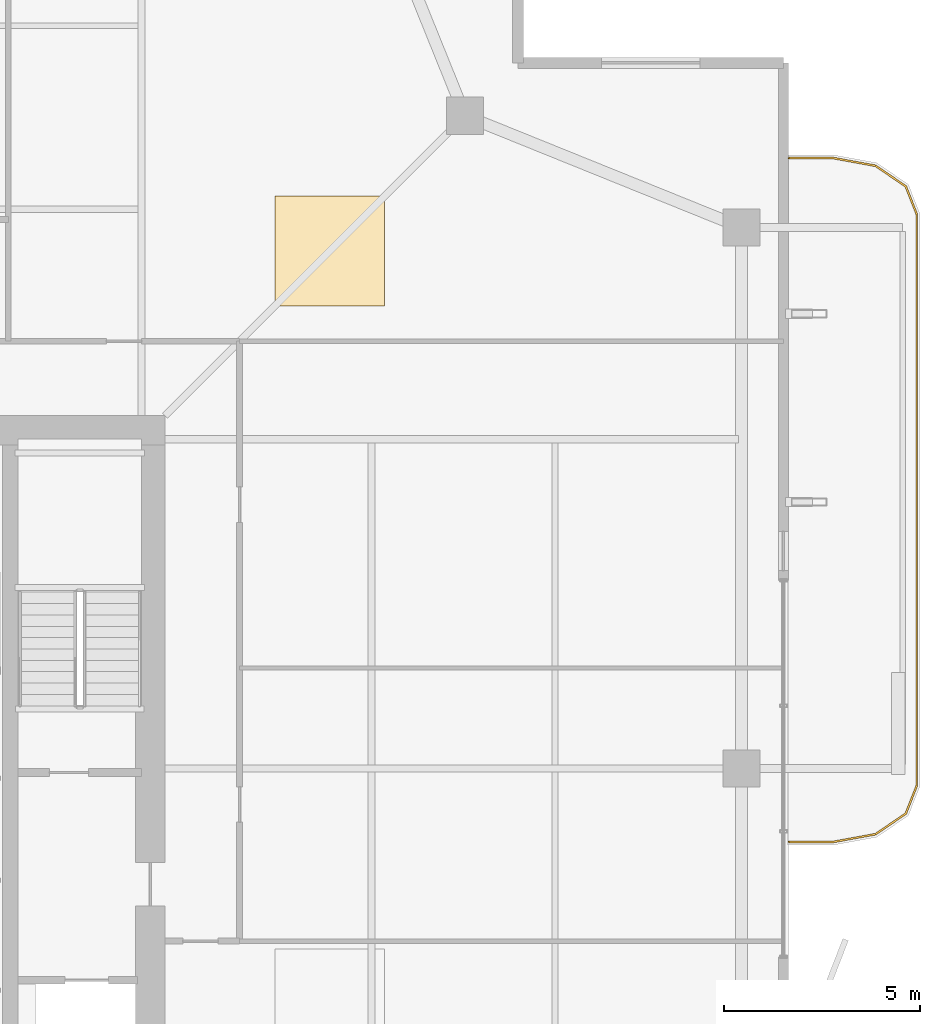
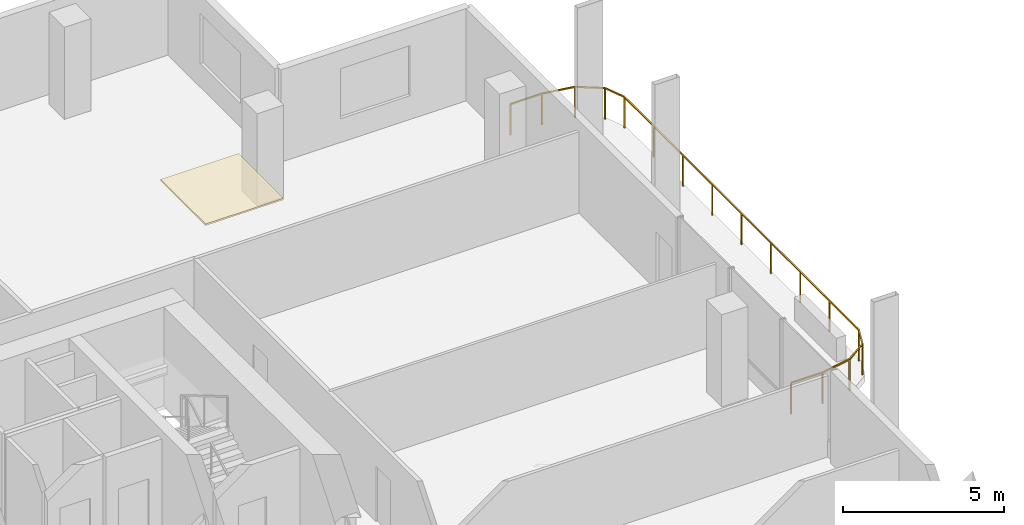
# One storey, part 25 of 25: 1 covering, 1 railing.
"""IFC4 building model written with IfcOpenShell, lengths in metres."""

from ifc_helpers import new_model, si_unit, direction, frame, origin, origin_2d, place, context, subcontext, project, spatial, polyline, rectangle, outline, extrude, material, layer, layer_set, type_object, element, save


model = new_model("IFC4")

# Units and contexts
model_context = context("Model", 3, precision=1e-05, world=origin(), true_north=direction((0.0, 1.0)))
body_context = subcontext(model_context, "Body", "Model", "MODEL_VIEW")
ifc_project = project(units=[si_unit("LENGTHUNIT", "METRE"), si_unit("AREAUNIT", "SQUARE_METRE"), si_unit("VOLUMEUNIT", "CUBIC_METRE"), si_unit("PLANEANGLEUNIT", "RADIAN"), si_unit("MASSUNIT", "GRAM", prefix="KILO")], contexts=[model_context])

# Site, building, storey
site_placement = place(None, origin())
site = spatial("IfcSite", under=ifc_project, at=site_placement, CompositionType="ELEMENT")
building_placement = place(site_placement, origin())
building = spatial("IfcBuilding", under=site, at=building_placement, Name="Belovzor Exchange Tower", CompositionType="ELEMENT")
storey_placement = place(building_placement, frame((0.0, 0.0, 272.85009765625)))
storey = spatial("IfcBuildingStorey", under=building, at=storey_placement, Name="L68", CompositionType="ELEMENT", Elevation=272.85009765625)

# Railing
ifc_material_1 = material(Name="Stainless Steel and Laminated Safety Glass", Category="steel")
railing_type = type_object("IfcRailingType", Name="Laminated Glass & Stainless Steel Balcony Balustrade 1200", PredefinedType="BALUSTRADE", material=ifc_material_1)
railing_placement = place(storey_placement, frame((53.7099609375, 26.929931640625, 0.0)))
element("IfcRailing", 1, at=railing_placement, inside=storey, type_object=railing_type, Name="GR-1 Balcony Balustrade L68 East", PredefinedType="BALUSTRADE", context=body_context, shape_type="SweptSolid", body=[
    extrude(rectangle(XDim=0.048095703125, YDim=0.048095703125, at=origin_2d()), frame((0.0, 0.0, 1.17578125), z_axis=(1.0, 0.0, 0.0), x_axis=(0.0, 1.0, 0.0)), (0.0, 0.0, 1.0), 1.133056640625),
    extrude(rectangle(XDim=0.048095703125, YDim=0.048095703125, at=origin_2d()), frame((1.133056640625, 0.0, 1.17578125), z_axis=(0.983644145941, 0.180122719713, 0.0), x_axis=(-0.180122719713, 0.983644145941, 0.0)), (0.0, 0.0, 1.0), 1.09375),
    extrude(rectangle(XDim=0.048095703125, YDim=0.048095703125, at=origin_2d()), frame((2.208984375, 0.197021484375, 1.17578125), z_axis=(0.826493025367, 0.56294695933, 0.0), x_axis=(-0.56294695933, 0.826493025367, 0.0)), (0.0, 0.0, 1.0), 0.932861328125),
    extrude(rectangle(XDim=0.048095703125, YDim=0.048095703125, at=origin_2d()), frame((2.97998046875, 0.72216796875, 1.17578125), z_axis=(0.365612923861, 0.930766990125, 0.0), x_axis=(-0.930766990125, 0.365612923861, 0.0)), (0.0, 0.0, 1.0), 0.765869140625),
    extrude(rectangle(XDim=0.048095703125, YDim=0.048095703125, at=origin_2d()), frame((3.260009765625, 1.43505859375, 1.17578125), z_axis=(0.0, 1.0, 0.0), x_axis=(-1.0, 0.0, 0.0)), (0.0, 0.0, 1.0), 14.570068359375),
    extrude(rectangle(XDim=0.048095703125, YDim=0.048095703125, at=origin_2d()), frame((3.260009765625, 16.005126953125, 1.17578125), z_axis=(-0.365612923861, 0.930766990125, 0.0), x_axis=(-0.930766990125, -0.365612923861, 0.0)), (0.0, 0.0, 1.0), 0.765869140625),
    extrude(rectangle(XDim=0.048095703125, YDim=0.048095703125, at=origin_2d()), frame((2.97998046875, 16.718017578125, 1.17578125), z_axis=(-0.826493025367, 0.56294695933, 0.0), x_axis=(-0.56294695933, -0.826493025367, 0.0)), (0.0, 0.0, 1.0), 0.932861328125),
    extrude(rectangle(XDim=0.048095703125, YDim=0.048095703125, at=origin_2d()), frame((2.208984375, 17.2431640625, 1.17578125), z_axis=(-0.983644145941, 0.180122719713, 0.0), x_axis=(-0.180122719713, -0.983644145941, 0.0)), (0.0, 0.0, 1.0), 1.09375),
    extrude(rectangle(XDim=0.048095703125, YDim=0.048095703125, at=origin_2d()), frame((1.133056640625, 17.440185546875, 1.17578125), z_axis=(-1.0, 0.0, 0.0), x_axis=(0.0, -1.0, 0.0)), (0.0, 0.0, 1.0), 1.133056640625),
    extrude(rectangle(XDim=0.0419921875, YDim=0.0419921875, at=origin_2d()), origin(), (0.0, 0.0, 1.0), 1.15185546875),
    extrude(rectangle(XDim=0.0419921875, YDim=0.0419921875, at=origin_2d()), frame((1.133056640625, 0.0, 0.0)), (0.0, 0.0, 1.0), 1.15185546875),
    extrude(rectangle(XDim=0.0419921875, YDim=0.0419921875, at=origin_2d()), frame((2.208984375, 0.197021484375, 0.0)), (0.0, 0.0, 1.0), 1.15185546875),
    extrude(rectangle(XDim=0.0419921875, YDim=0.0419921875, at=origin_2d()), frame((2.97998046875, 0.72216796875, 0.0)), (0.0, 0.0, 1.0), 1.15185546875),
    extrude(rectangle(XDim=0.0419921875, YDim=0.0419921875, at=origin_2d()), frame((3.260009765625, 1.43505859375, 0.0)), (0.0, 0.0, 1.0), 1.15185546875),
    extrude(rectangle(XDim=0.0419921875, YDim=0.0419921875, at=origin_2d()), frame((3.260009765625, 3.25634765625, 0.0)), (0.0, 0.0, 1.0), 1.15185546875),
    extrude(rectangle(XDim=0.0419921875, YDim=0.0419921875, at=origin_2d()), frame((3.260009765625, 5.07763671875, 0.0)), (0.0, 0.0, 1.0), 1.15185546875),
    extrude(rectangle(XDim=0.0419921875, YDim=0.0419921875, at=origin_2d()), frame((3.260009765625, 6.89892578125, 0.0)), (0.0, 0.0, 1.0), 1.15185546875),
    extrude(rectangle(XDim=0.0419921875, YDim=0.0419921875, at=origin_2d()), frame((3.260009765625, 8.72021484375, 0.0)), (0.0, 0.0, 1.0), 1.15185546875),
    extrude(rectangle(XDim=0.0419921875, YDim=0.0419921875, at=origin_2d()), frame((3.260009765625, 10.541259765625, 0.0)), (0.0, 0.0, 1.0), 1.15185546875),
    extrude(rectangle(XDim=0.0419921875, YDim=0.0419921875, at=origin_2d()), frame((3.260009765625, 12.362548828125, 0.0)), (0.0, 0.0, 1.0), 1.15185546875),
    extrude(rectangle(XDim=0.0419921875, YDim=0.0419921875, at=origin_2d()), frame((3.260009765625, 14.183837890625, 0.0)), (0.0, 0.0, 1.0), 1.15185546875),
    extrude(rectangle(XDim=0.0419921875, YDim=0.0419921875, at=origin_2d()), frame((3.260009765625, 16.005126953125, 0.0)), (0.0, 0.0, 1.0), 1.15185546875),
    extrude(rectangle(XDim=0.0419921875, YDim=0.0419921875, at=origin_2d()), frame((2.97998046875, 16.718017578125, 0.0)), (0.0, 0.0, 1.0), 1.15185546875),
    extrude(rectangle(XDim=0.0419921875, YDim=0.0419921875, at=origin_2d()), frame((2.208984375, 17.2431640625, 0.0)), (0.0, 0.0, 1.0), 1.15185546875),
    extrude(rectangle(XDim=0.0419921875, YDim=0.0419921875, at=origin_2d()), frame((1.133056640625, 17.440185546875, 0.0)), (0.0, 0.0, 1.0), 1.15185546875),
    extrude(rectangle(XDim=0.0419921875, YDim=0.0419921875, at=origin_2d()), frame((0.0, 17.440185546875, 0.0)), (0.0, 0.0, 1.0), 1.15185546875),
])

# Covering
ifc_material_2 = material(Name="Perforated Powder-Coated Aluminium", Category="aluminium")
ifc_layer = layer(ifc_material_2, 0.06005859375)
ifc_layer_set = layer_set([ifc_layer], Name="Perforated Powder-Coated Aluminium")
covering_type = type_object("IfcCoveringType", Name="Perforated Acoustic Metal Tile Suspended Ceiling 60", PredefinedType="CEILING", material=ifc_layer_set)
covering_placement = place(storey_placement, frame((0.0, 0.0, 3.43994140625)))
element("IfcCovering", 2, at=covering_placement, inside=storey, type_object=covering_type, Name="CLG-AC60 Suspended Ceiling CLG-L68-Z1", PredefinedType="CEILING", context=body_context, shape_type="SweptSolid", body=[
    extrude(outline(polyline([(40.60009765625, 40.60009765625), (43.39990234375, 40.60009765625), (43.39990234375, 43.39990234375), (40.60009765625, 43.39990234375), (40.60009765625, 40.60009765625)])), origin(), (0.0, 0.0, 1.0), 0.06005859375),
])

save(model, "model.ifc")
